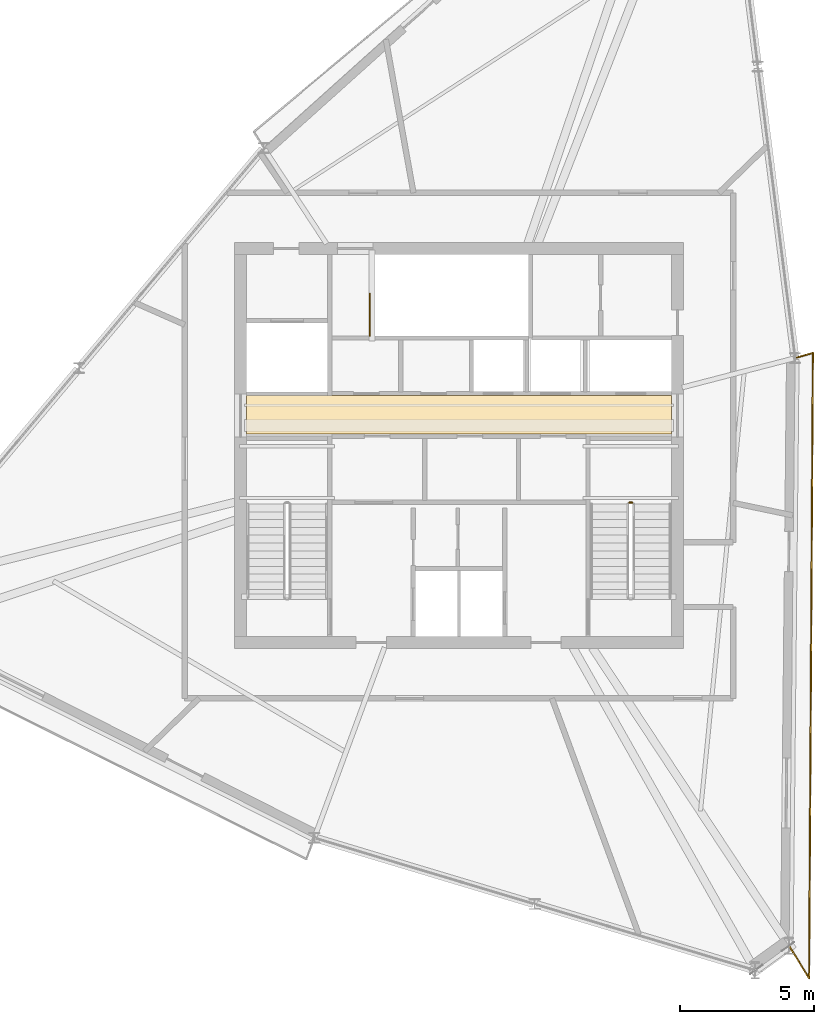
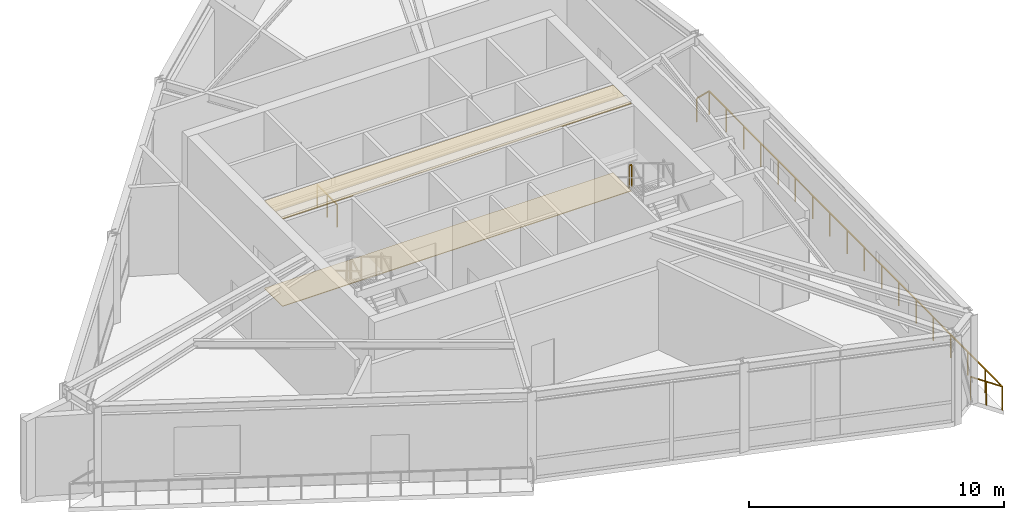
# One storey, part 22 of 23: 3 railings, 2 coverings.
"""IFC4 building model written with IfcOpenShell, lengths in metres."""

from ifc_helpers import new_model, si_unit, direction, frame, origin, origin_2d, place, context, subcontext, project, spatial, polyline, rectangle, outline, extrude, material, layer, layer_set, type_object, element, save


model = new_model("IFC4")

# Units and contexts
model_context = context("Model", 3, precision=1e-05, world=origin(), true_north=direction((0.0, 1.0)))
body_context = subcontext(model_context, "Body", "Model", "MODEL_VIEW")
ifc_project = project(units=[si_unit("LENGTHUNIT", "METRE"), si_unit("AREAUNIT", "SQUARE_METRE"), si_unit("VOLUMEUNIT", "CUBIC_METRE"), si_unit("PLANEANGLEUNIT", "RADIAN"), si_unit("MASSUNIT", "GRAM", prefix="KILO")], contexts=[model_context])

# Site, building, storey
site_placement = place(None, origin())
site = spatial("IfcSite", under=ifc_project, at=site_placement, CompositionType="ELEMENT")
building_placement = place(site_placement, origin())
building = spatial("IfcBuilding", under=site, at=building_placement, Name="Olszyna Solenne Hotel", CompositionType="ELEMENT")
storey_placement = place(building_placement, frame((0.0, 0.0, 290.5)))
storey = spatial("IfcBuildingStorey", under=building, at=storey_placement, Name="L77", CompositionType="ELEMENT", Elevation=290.5)

# Coverings
ifc_material_1 = material(Name="Mineral wool acoustic ceiling")
ifc_layer_1 = layer(ifc_material_1, 0.0400390625, Name="Mineral wool acoustic ceiling")
ifc_layer_set_1 = layer_set([ifc_layer_1], Name="Mineral wool acoustic ceiling")
covering_type_1 = type_object("IfcCoveringType", Name="CL-AC1", PredefinedType="CEILING", material=ifc_layer_set_1)
covering_1_placement = place(storey_placement, frame((0.0, 0.0, 4.179931640625)))
element("IfcCovering", 1, at=covering_1_placement, inside=storey, type_object=covering_type_1, Name="Lift lobby acoustic tile ceiling CL-L77-01", PredefinedType="CEILING", context=body_context, shape_type="SweptSolid", body=[
    extrude(outline(polyline([(30.10009765625, 27.030029296875), (45.89990234375, 27.030029296875), (45.89990234375, 28.4599609375), (30.10009765625, 28.4599609375), (30.10009765625, 27.030029296875)])), origin(), (0.0, 0.0, 1.0), 0.0400390625),
])
ifc_material_2 = material(Name="Ceramic floor tile")
ifc_layer_2 = layer(ifc_material_2, 0.030029296875, Name="Ceramic floor tile")
ifc_layer_set_2 = layer_set([ifc_layer_2], Name="Ceramic floor tile")
covering_type_2 = type_object("IfcCoveringType", Name="FL-TL1", PredefinedType="FLOORING", material=ifc_layer_set_2)
covering_2_placement = place(storey_placement, origin())
element("IfcCovering", 2, at=covering_2_placement, inside=storey, type_object=covering_type_2, Name="Lift lobby stoneware floor finish FLR-L77-01", PredefinedType="FLOORING", context=body_context, shape_type="SweptSolid", body=[
    extrude(outline(polyline([(30.10009765625, 27.030029296875), (45.89990234375, 27.030029296875), (45.89990234375, 28.4599609375), (30.10009765625, 28.4599609375), (30.10009765625, 27.030029296875)])), origin(), (0.0, 0.0, 1.0), 0.030029296875),
])

# Railings
ifc_material_3 = material(Name="Anodised bronze aluminium", Category="aluminium")
railing_type = type_object("IfcRailingType", Name="GR-110", PredefinedType="BALUSTRADE", material=ifc_material_3)
railing_1_placement = place(storey_placement, frame((50.27880859375, 7.9970703125, 0.0)))
element("IfcRailing", 3, at=railing_1_placement, inside=storey, type_object=railing_type, Name="Loggia balcony balustrade guard GR-L77-LG3", PredefinedType="BALUSTRADE", context=body_context, shape_type="SweptSolid", body=[
    extrude(rectangle(XDim=0.048095703125, YDim=0.048095703125, at=origin_2d()), frame((0.0, 0.0, 1.1259765625), z_axis=(0.524884546984, -0.851173432584, 0.0), x_axis=(0.851173432584, 0.524884546984, 0.0)), (0.0, 0.0, 1.0), 1.418701171875),
    extrude(rectangle(XDim=0.048095703125, YDim=0.048095703125, at=origin_2d()), frame((0.74462890625, -1.20751953125, 1.1259765625), z_axis=(0.006077670774, 0.999981530788, 0.0), x_axis=(-0.999981530788, 0.006077670774, 0.0)), (0.0, 0.0, 1.0), 23.258544921875),
    extrude(rectangle(XDim=0.048095703125, YDim=0.048095703125, at=origin_2d()), frame((0.885986328125, 22.050537109375, 1.1259765625), z_axis=(-0.960906954427, -0.276871495343, 0.0), x_axis=(0.276871495343, -0.960906954427, 0.0)), (0.0, 0.0, 1.0), 0.689453125),
    extrude(rectangle(XDim=0.0419921875, YDim=0.0419921875, at=origin_2d()), origin(), (0.0, 0.0, 1.0), 1.101806640625),
    extrude(rectangle(XDim=0.0419921875, YDim=0.0419921875, at=origin_2d()), frame((0.372314453125, -0.603759765625, 0.0)), (0.0, 0.0, 1.0), 1.101806640625),
    extrude(rectangle(XDim=0.0419921875, YDim=0.0419921875, at=origin_2d()), frame((0.74462890625, -1.20751953125, 0.0)), (0.0, 0.0, 1.0), 1.101806640625),
    extrude(rectangle(XDim=0.0419921875, YDim=0.0419921875, at=origin_2d()), frame((0.7529296875, 0.16064453125, 0.0)), (0.0, 0.0, 1.0), 1.101806640625),
    extrude(rectangle(XDim=0.0419921875, YDim=0.0419921875, at=origin_2d()), frame((0.76123046875, 1.52880859375, 0.0)), (0.0, 0.0, 1.0), 1.101806640625),
    extrude(rectangle(XDim=0.0419921875, YDim=0.0419921875, at=origin_2d()), frame((0.76953125, 2.896728515625, 0.0)), (0.0, 0.0, 1.0), 1.101806640625),
    extrude(rectangle(XDim=0.0419921875, YDim=0.0419921875, at=origin_2d()), frame((0.77783203125, 4.264892578125, 0.0)), (0.0, 0.0, 1.0), 1.101806640625),
    extrude(rectangle(XDim=0.0419921875, YDim=0.0419921875, at=origin_2d()), frame((0.7861328125, 5.633056640625, 0.0)), (0.0, 0.0, 1.0), 1.101806640625),
    extrude(rectangle(XDim=0.0419921875, YDim=0.0419921875, at=origin_2d()), frame((0.79443359375, 7.001220703125, 0.0)), (0.0, 0.0, 1.0), 1.101806640625),
    extrude(rectangle(XDim=0.0419921875, YDim=0.0419921875, at=origin_2d()), frame((0.802734375, 8.369384765625, 0.0)), (0.0, 0.0, 1.0), 1.101806640625),
    extrude(rectangle(XDim=0.0419921875, YDim=0.0419921875, at=origin_2d()), frame((0.81103515625, 9.737548828125, 0.0)), (0.0, 0.0, 1.0), 1.101806640625),
    extrude(rectangle(XDim=0.0419921875, YDim=0.0419921875, at=origin_2d()), frame((0.819580078125, 11.10546875, 0.0)), (0.0, 0.0, 1.0), 1.101806640625),
    extrude(rectangle(XDim=0.0419921875, YDim=0.0419921875, at=origin_2d()), frame((0.827880859375, 12.4736328125, 0.0)), (0.0, 0.0, 1.0), 1.101806640625),
    extrude(rectangle(XDim=0.0419921875, YDim=0.0419921875, at=origin_2d()), frame((0.836181640625, 13.841796875, 0.0)), (0.0, 0.0, 1.0), 1.101806640625),
    extrude(rectangle(XDim=0.0419921875, YDim=0.0419921875, at=origin_2d()), frame((0.844482421875, 15.2099609375, 0.0)), (0.0, 0.0, 1.0), 1.101806640625),
    extrude(rectangle(XDim=0.0419921875, YDim=0.0419921875, at=origin_2d()), frame((0.852783203125, 16.578125, 0.0)), (0.0, 0.0, 1.0), 1.101806640625),
    extrude(rectangle(XDim=0.0419921875, YDim=0.0419921875, at=origin_2d()), frame((0.861083984375, 17.9462890625, 0.0)), (0.0, 0.0, 1.0), 1.101806640625),
    extrude(rectangle(XDim=0.0419921875, YDim=0.0419921875, at=origin_2d()), frame((0.869384765625, 19.314208984375, 0.0)), (0.0, 0.0, 1.0), 1.101806640625),
    extrude(rectangle(XDim=0.0419921875, YDim=0.0419921875, at=origin_2d()), frame((0.877685546875, 20.682373046875, 0.0)), (0.0, 0.0, 1.0), 1.101806640625),
    extrude(rectangle(XDim=0.0419921875, YDim=0.0419921875, at=origin_2d()), frame((0.885986328125, 22.050537109375, 0.0)), (0.0, 0.0, 1.0), 1.101806640625),
    extrude(rectangle(XDim=0.0419921875, YDim=0.0419921875, at=origin_2d()), frame((0.223388671875, 21.859619140625, 0.0)), (0.0, 0.0, 1.0), 1.101806640625),
])
railing_2_placement = place(storey_placement, frame((44.449951171875, 24.47998046875, 2.25)))
element("IfcRailing", 4, at=railing_2_placement, inside=storey, type_object=railing_type, Name="L77 ST2 stair guard 2", PredefinedType="BALUSTRADE", context=body_context, shape_type="SweptSolid", body=[
    extrude(rectangle(XDim=0.048095703125, YDim=0.048095703125, at=origin_2d()), frame((0.0, 0.0, 1.076171875), z_axis=(-1.0, 0.0, 0.0), x_axis=(0.0, -1.0, 0.0)), (0.0, 0.0, 1.0), 0.119873046875),
    extrude(rectangle(XDim=0.0419921875, YDim=0.0419921875, at=origin_2d()), origin(), (0.0, 0.0, 1.0), 1.052001953125),
    extrude(rectangle(XDim=0.0419921875, YDim=0.0419921875, at=origin_2d()), frame((-0.119873046875, 0.0, 0.0)), (0.0, 0.0, 1.0), 1.052001953125),
])
railing_3_placement = place(storey_placement, frame((34.679931640625, 30.679931640625, 0.0)))
element("IfcRailing", 5, at=railing_3_placement, inside=storey, type_object=railing_type, Name="L77 ST3 top well guard 1", PredefinedType="BALUSTRADE", context=body_context, shape_type="SweptSolid", body=[
    extrude(rectangle(XDim=0.048095703125, YDim=0.048095703125, at=origin_2d()), frame((0.0, 0.0, 1.076171875), z_axis=(0.0, 1.0, 0.0), x_axis=(-1.0, 0.0, 0.0)), (0.0, 0.0, 1.0), 1.570068359375),
    extrude(rectangle(XDim=0.0419921875, YDim=0.0419921875, at=origin_2d()), origin(), (0.0, 0.0, 1.0), 1.052001953125),
    extrude(rectangle(XDim=0.0419921875, YDim=0.0419921875, at=origin_2d()), frame((0.0, 0.78515625, 0.0)), (0.0, 0.0, 1.0), 1.052001953125),
    extrude(rectangle(XDim=0.0419921875, YDim=0.0419921875, at=origin_2d()), frame((0.0, 1.570068359375, 0.0)), (0.0, 0.0, 1.0), 1.052001953125),
])

save(model, "model.ifc")
